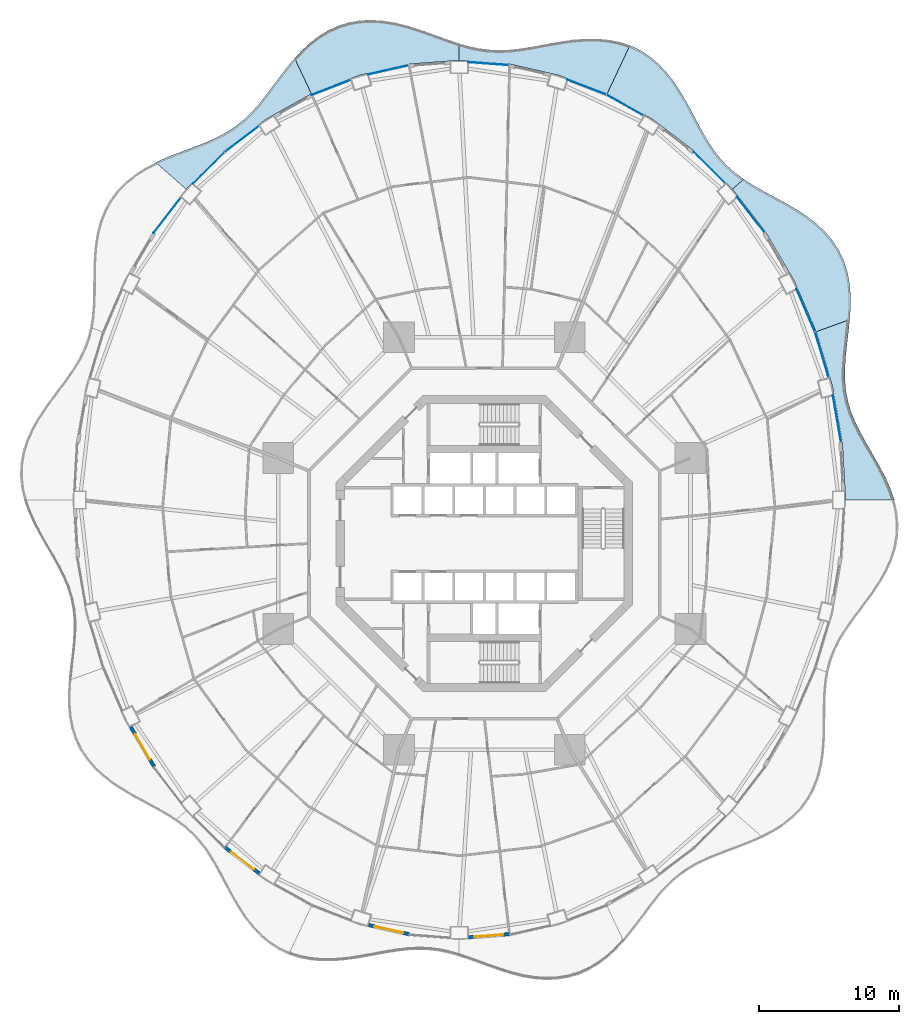
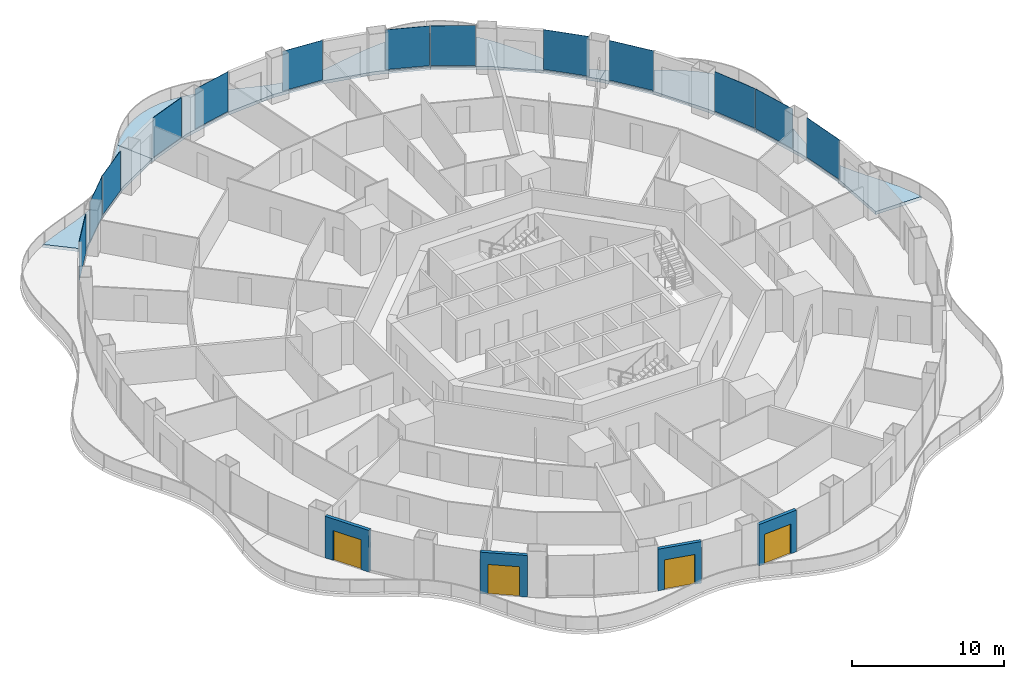
# One storey, part 14 of 23: 13 plates, 6 slabs, 4 doors, 4 walls, 4 openings, 13 elements without a shape of their own.
"""IFC4 building model written with IfcOpenShell, lengths in metres."""

from ifc_helpers import new_model, si_unit, direction, frame, frame_2d, origin, origin_2d, place, context, subcontext, project, spatial, polyline, rectangle, outline, extrude, material, layer, layer_set, type_object, element, fill, aggregate, save


model = new_model("IFC4")

# Units and contexts
model_context = context("Model", 3, precision=1e-05, world=origin(), true_north=direction((0.0, 1.0)))
body_context = subcontext(model_context, "Body", "Model", "MODEL_VIEW")
ifc_project = project(units=[si_unit("LENGTHUNIT", "METRE"), si_unit("AREAUNIT", "SQUARE_METRE"), si_unit("VOLUMEUNIT", "CUBIC_METRE"), si_unit("PLANEANGLEUNIT", "RADIAN"), si_unit("MASSUNIT", "GRAM", prefix="KILO")], contexts=[model_context])

# Site, building, storey
site_placement = place(None, origin())
site = spatial("IfcSite", under=ifc_project, at=site_placement, CompositionType="ELEMENT")
building_placement = place(site_placement, origin())
building = spatial("IfcBuilding", under=site, at=building_placement, Name="Nagisa Residences", CompositionType="ELEMENT")
storey_placement = place(building_placement, frame((0.0, 0.0, 110.300048828125)))
storey = spatial("IfcBuildingStorey", under=building, at=storey_placement, Name="L27", CompositionType="ELEMENT", Elevation=110.300048828125)

# Slabs
ifc_material_1 = material(Name="Concrete C40/50", Category="concrete")
ifc_layer_1 = layer(ifc_material_1, 0.25)
ifc_layer_set_1 = layer_set([ifc_layer_1], Name="BALCONY SLAB 250")
slab_type = type_object("IfcSlabType", Name="BALCONY SLAB 250", PredefinedType="FLOOR", material=ifc_layer_set_1)
slab_1_placement = place(storey_placement, frame((0.0, 0.0, -0.25)))
element("IfcSlab", 1, at=slab_1_placement, inside=storey, type_object=slab_type, Name="slab:L27:bal00", PredefinedType="FLOOR", context=body_context, shape_type="SweptSolid", body=[
    extrude(outline(polyline([(29.39404296875, 3.11767578125), (29.09912109375, 3.95556640625), (28.728759765625, 4.778564453125), (28.306640625, 5.58349609375), (27.8583984375, 6.37060546875), (27.41064453125, 7.141357421875), (26.98828125, 7.899658203125), (26.61328125, 8.6513671875), (26.303466796875, 9.403076171875), (26.06982421875, 10.161865234375), (25.917724609375, 10.93505859375), (25.84521484375, 11.728271484375), (25.84375, 12.5458984375), (25.898681640625, 13.389404296875), (25.989990234375, 14.258056640625), (26.09521484375, 15.14794921875), (26.18896484375, 16.05224609375), (23.786865234375, 15.177978515625), (24.951416015625, 11.2744140625), (25.657958984375, 7.231201171875), (25.89501953125, 3.11767578125), (29.39404296875, 3.11767578125)])), origin(), (0.0, 0.0, 1.0), 0.25),
])
slab_2_placement = place(storey_placement, frame((0.0, 0.0, -0.25)))
element("IfcSlab", 2, at=slab_2_placement, inside=storey, type_object=slab_type, Name="slab:L27:bal01", PredefinedType="FLOOR", context=body_context, shape_type="SweptSolid", body=[
    extrude(outline(polyline([(26.18896484375, 16.05224609375), (26.2451171875, 16.93408203125), (26.24560546875, 17.810791015625), (26.172119140625, 18.671630859375), (26.010009765625, 19.505615234375), (25.750244140625, 20.302001953125), (25.388671875, 21.052001953125), (24.927490234375, 21.7490234375), (24.37353515625, 22.38916015625), (23.7392578125, 22.972412109375), (23.041015625, 23.501708984375), (22.29736328125, 23.983642578125), (21.529052734375, 24.4287109375), (20.75634765625, 24.84912109375), (19.998291015625, 25.25927734375), (19.271240234375, 25.674560546875), (18.58837890625, 26.109619140625), (17.783203125, 25.402099609375), (20.171875, 22.302734375), (22.1845703125, 18.875244140625), (23.786865234375, 15.177978515625), (26.18896484375, 16.05224609375)])), origin(), (0.0, 0.0, 1.0), 0.25),
])
slab_3_placement = place(storey_placement, frame((0.0, 0.0, -0.25)))
element("IfcSlab", 3, at=slab_3_placement, inside=storey, type_object=slab_type, Name="slab:L27:bal02", PredefinedType="FLOOR", context=body_context, shape_type="SweptSolid", body=[
    extrude(outline(polyline([(18.58837890625, 26.109619140625), (17.98583984375, 26.55517578125), (17.433837890625, 27.040283203125), (16.931396484375, 27.572021484375), (16.473388671875, 28.1533203125), (16.0517578125, 28.783935546875), (15.655029296875, 29.458984375), (15.270263671875, 30.170166015625), (14.8837890625, 30.90576171875), (14.4814453125, 31.65087890625), (14.050048828125, 32.38818359375), (13.578857421875, 33.10009765625), (13.05908203125, 33.76806640625), (12.485107421875, 34.37548828125), (11.85498046875, 34.907470703125), (11.16943359375, 35.352294921875), (10.433349609375, 35.702392578125), (8.79833984375, 32.233642578125), (12.047607421875, 30.410400390625), (15.0595703125, 28.1201171875), (17.783203125, 25.402099609375), (18.58837890625, 26.109619140625)])), origin(), (0.0, 0.0, 1.0), 0.25),
])
slab_4_placement = place(storey_placement, frame((0.0, 0.0, -0.25)))
element("IfcSlab", 4, at=slab_4_placement, inside=storey, type_object=slab_type, Name="slab:L27:bal03", PredefinedType="FLOOR", context=body_context, shape_type="SweptSolid", body=[
    extrude(outline(polyline([(10.433349609375, 35.702392578125), (9.68212890625, 35.947265625), (8.898193359375, 36.102783203125), (8.0908203125, 36.17431640625), (7.26953125, 36.171875), (6.443603515625, 36.108154296875), (5.6220703125, 35.9990234375), (4.8115234375, 35.86181640625), (4.017333984375, 35.71484375), (3.24267578125, 35.575927734375), (2.48828125, 35.4619140625), (1.752685546875, 35.38671875), (1.03271484375, 35.361328125), (0.3232421875, 35.39306640625), (-0.381103515625, 35.484375), (-1.0869140625, 35.63330078125), (-1.800048828125, 35.833740234375), (-1.800048828125, 34.6328125), (1.81494140625, 34.363037109375), (5.367919921875, 33.558837890625), (8.79833984375, 32.233642578125), (10.433349609375, 35.702392578125)])), origin(), (0.0, 0.0, 1.0), 0.25),
])
slab_5_placement = place(storey_placement, frame((0.0, 0.0, -0.25)))
element("IfcSlab", 5, at=slab_5_placement, inside=storey, type_object=slab_type, Name="slab:L27:bal04", PredefinedType="FLOOR", context=body_context, shape_type="SweptSolid", body=[
    extrude(outline(polyline([(-1.800048828125, 35.833740234375), (-2.525390625, 36.07470703125), (-3.26708984375, 36.3427734375), (-4.027099609375, 36.620849609375), (-4.80517578125, 36.890869140625), (-5.599609375, 37.133544921875), (-6.40576171875, 37.33056640625), (-7.218017578125, 37.46533203125), (-8.029052734375, 37.523193359375), (-8.83056640625, 37.4931640625), (-9.614013671875, 37.36865234375), (-10.3720703125, 37.146728515625), (-11.09716796875, 36.829345703125), (-11.784423828125, 36.4228515625), (-12.4306640625, 35.93701171875), (-13.03515625, 35.38525390625), (-13.60009765625, 34.783203125), (-12.3984375, 32.233642578125), (-8.968017578125, 33.558837890625), (-5.4150390625, 34.363037109375), (-1.800048828125, 34.6328125), (-1.800048828125, 35.833740234375)])), origin(), (0.0, 0.0, 1.0), 0.25),
])
slab_6_placement = place(storey_placement, frame((0.0, 0.0, -0.25)))
element("IfcSlab", 6, at=slab_6_placement, inside=storey, type_object=slab_type, Name="slab:L27:bal05", PredefinedType="FLOOR", context=body_context, shape_type="SweptSolid", body=[
    extrude(outline(polyline([(-13.60009765625, 34.783203125), (-14.14892578125, 34.1240234375), (-14.667724609375, 33.44873046875), (-15.166015625, 32.77685546875), (-15.655517578125, 32.125244140625), (-16.14794921875, 31.508544921875), (-16.65576171875, 30.9375), (-17.189208984375, 30.419189453125), (-17.757568359375, 29.95556640625), (-18.366943359375, 29.545166015625), (-19.02001953125, 29.181884765625), (-19.716064453125, 28.856201171875), (-20.450439453125, 28.5556640625), (-21.21484375, 28.26611328125), (-21.998046875, 27.97314453125), (-22.78564453125, 27.661376953125), (-23.5625, 27.317138671875), (-21.38330078125, 25.402099609375), (-18.65966796875, 28.1201171875), (-15.6474609375, 30.410400390625), (-12.3984375, 32.233642578125), (-13.60009765625, 34.783203125)])), origin(), (0.0, 0.0, 1.0), 0.25),
])

# Curtain wall, plate
ifc_material_2 = material(Name="Concrete-coloured aluminium curtain wall system", Category="concrete")
ifc_layer_2 = layer(ifc_material_2, 0.159912109375)
ifc_layer_set_2 = layer_set([ifc_layer_2], Name="CW1 CURTAIN WALL")
curtain_wall_type = type_object("IfcCurtainWallType", Name="CW1 CURTAIN WALL", PredefinedType="NOTDEFINED", material=ifc_layer_set_2)
curtain_wall_1_placement = place(storey_placement, origin())
curtain_wall_1 = element("IfcCurtainWall", 7, at=curtain_wall_1_placement, inside=storey, type_object=curtain_wall_type, Name="cw:CW1:L27:01", PredefinedType="NOTDEFINED")
ifc_material_3 = material(Name="Clear laminated glass", Category="glass")
ifc_layer_3 = layer(ifc_material_3, 0.028076171875)
ifc_layer_set_3 = layer_set([ifc_layer_3], Name="CW1 GLASS PANEL")
plate_type = type_object("IfcPlateType", Name="CW1 GLASS PANEL", PredefinedType="CURTAIN_PANEL", material=ifc_layer_set_3)
plate_1_placement = place(storey_placement, frame((25.276611328125, 8.948486328125, 0.14990234375), z_axis=(0.0, 0.0, 1.0), x_axis=(-0.172190868898, 0.985063604377, 0.0)))
plate_1 = element("IfcPlate", 8, at=plate_1_placement, type_object=plate_type, Name="CW1 panel", PredefinedType="CURTAIN_PANEL", context=body_context, shape_type="SweptSolid", body=[
    extrude(rectangle(XDim=3.39453125, YDim=0.028076171875, at=origin_2d()), origin(), (0.0, 0.0, 1.0), 3.199951171875),
])
aggregate(curtain_wall_1, [plate_1])

curtain_wall_2_placement = place(storey_placement, origin())
curtain_wall_2 = element("IfcCurtainWall", 9, at=curtain_wall_2_placement, inside=storey, type_object=curtain_wall_type, Name="cw:CW1:L27:02", PredefinedType="NOTDEFINED")
plate_2_placement = place(storey_placement, frame((24.19091796875, 13.54345703125, 0.14990234375), z_axis=(0.0, 0.0, 1.0), x_axis=(-0.285860274038, 0.958271310082, 0.0)))
plate_2 = element("IfcPlate", 10, at=plate_2_placement, type_object=plate_type, Name="CW1 panel", PredefinedType="CURTAIN_PANEL", context=body_context, shape_type="SweptSolid", body=[
    extrude(rectangle(XDim=3.363525390625, YDim=0.028076171875, at=origin_2d()), origin(), (0.0, 0.0, 1.0), 3.199951171875),
])
aggregate(curtain_wall_2, [plate_2])

curtain_wall_3_placement = place(storey_placement, origin())
curtain_wall_3 = element("IfcCurtainWall", 11, at=curtain_wall_3_placement, inside=storey, type_object=curtain_wall_type, Name="cw:CW1:L27:03", PredefinedType="NOTDEFINED")
plate_3_placement = place(storey_placement, frame((23.029541015625, 16.72412109375, 0.14990234375), z_axis=(0.0, 0.0, 1.0), x_axis=(-0.397635934147, 0.917543276295, 0.0)))
plate_3 = element("IfcPlate", 12, at=plate_3_placement, type_object=plate_type, Name="CW1 panel", PredefinedType="CURTAIN_PANEL", context=body_context, shape_type="SweptSolid", body=[
    extrude(rectangle(XDim=3.319580078125, YDim=0.028076171875, at=origin_2d()), origin(), (0.0, 0.0, 1.0), 3.199951171875),
])
aggregate(curtain_wall_3, [plate_3])

curtain_wall_4_placement = place(storey_placement, origin())
curtain_wall_4 = element("IfcCurtainWall", 13, at=curtain_wall_4_placement, inside=storey, type_object=curtain_wall_type, Name="cw:CW1:L27:05", PredefinedType="NOTDEFINED")
plate_4_placement = place(storey_placement, frame((19.09423828125, 23.570068359375, 0.14990234375), z_axis=(0.0, 0.0, 1.0), x_axis=(-0.610429828235, 0.792070340816, 0.0)))
plate_4 = element("IfcPlate", 14, at=plate_4_placement, type_object=plate_type, Name="CW1 panel", PredefinedType="CURTAIN_PANEL", context=body_context, shape_type="SweptSolid", body=[
    extrude(rectangle(XDim=3.202880859375, YDim=0.028076171875, at=origin_2d()), origin(), (0.0, 0.0, 1.0), 3.199951171875),
])
aggregate(curtain_wall_4, [plate_4])

curtain_wall_5_placement = place(storey_placement, origin())
curtain_wall_5 = element("IfcCurtainWall", 15, at=curtain_wall_5_placement, inside=storey, type_object=curtain_wall_type, Name="cw:CW1:L27:06", PredefinedType="NOTDEFINED")
plate_5_placement = place(storey_placement, frame((16.11376953125, 26.955322265625, 0.14990234375), z_axis=(0.0, 0.0, 1.0), x_axis=(-0.707835924016, 0.706376885714, 0.0)))
plate_5 = element("IfcPlate", 16, at=plate_5_placement, type_object=plate_type, Name="CW1 panel", PredefinedType="CURTAIN_PANEL", context=body_context, shape_type="SweptSolid", body=[
    extrude(rectangle(XDim=3.137939453125, YDim=0.028076171875, at=origin_2d()), origin(), (0.0, 0.0, 1.0), 3.199951171875),
])
aggregate(curtain_wall_5, [plate_5])

curtain_wall_6_placement = place(storey_placement, origin())
curtain_wall_6 = element("IfcCurtainWall", 17, at=curtain_wall_6_placement, inside=storey, type_object=curtain_wall_type, Name="cw:CW1:L27:08", PredefinedType="NOTDEFINED")
plate_6_placement = place(storey_placement, frame((10.07421875, 31.426025390625, 0.14990234375), z_axis=(0.0, 0.0, 1.0), x_axis=(-0.872072377523, 0.489376918501, 0.0)))
plate_6 = element("IfcPlate", 18, at=plate_6_placement, type_object=plate_type, Name="CW1 panel", PredefinedType="CURTAIN_PANEL", context=body_context, shape_type="SweptSolid", body=[
    extrude(rectangle(XDim=3.015625, YDim=0.028076171875, at=origin_2d()), origin(), (0.0, 0.0, 1.0), 3.199951171875),
])
aggregate(curtain_wall_6, [plate_6])

curtain_wall_7_placement = place(storey_placement, origin())
curtain_wall_7 = element("IfcCurtainWall", 19, at=curtain_wall_7_placement, inside=storey, type_object=curtain_wall_type, Name="cw:CW1:L27:09", PredefinedType="NOTDEFINED")
plate_7_placement = place(storey_placement, frame((7.32958984375, 32.71533203125, 0.14990234375), z_axis=(0.0, 0.0, 1.0), x_axis=(-0.932825759707, 0.360327770268, 0.0)))
plate_7 = element("IfcPlate", 20, at=plate_7_placement, type_object=plate_type, Name="CW1 panel", PredefinedType="CURTAIN_PANEL", context=body_context, shape_type="SweptSolid", body=[
    extrude(rectangle(XDim=2.967529296875, YDim=0.028076171875, at=origin_2d()), origin(), (0.0, 0.0, 1.0), 3.199951171875),
])
aggregate(curtain_wall_7, [plate_7])

curtain_wall_8_placement = place(storey_placement, origin())
curtain_wall_8 = element("IfcCurtainWall", 21, at=curtain_wall_8_placement, inside=storey, type_object=curtain_wall_type, Name="cw:CW1:L27:11", PredefinedType="NOTDEFINED")
plate_8_placement = place(storey_placement, frame((0.295654296875, 34.396240234375, 0.14990234375), z_axis=(0.0, 0.0, 1.0), x_axis=(-0.997230168512, 0.074377355493, 0.0)))
plate_8 = element("IfcPlate", 22, at=plate_8_placement, type_object=plate_type, Name="CW1 panel", PredefinedType="CURTAIN_PANEL", context=body_context, shape_type="SweptSolid", body=[
    extrude(rectangle(XDim=2.9150390625, YDim=0.028076171875, at=origin_2d()), origin(), (0.0, 0.0, 1.0), 3.199951171875),
])
aggregate(curtain_wall_8, [plate_8])

curtain_wall_9_placement = place(storey_placement, origin())
curtain_wall_9 = element("IfcCurtainWall", 23, at=curtain_wall_9_placement, inside=storey, type_object=curtain_wall_type, Name="cw:CW1:L27:13", PredefinedType="NOTDEFINED")
plate_9_placement = place(storey_placement, frame((-6.885986328125, 33.947998046875, 0.14990234375), z_axis=(0.0, 0.0, 1.0), x_axis=(-0.975327274089, -0.2207639201, 0.0)))
plate_9 = element("IfcPlate", 24, at=plate_9_placement, type_object=plate_type, Name="CW1 panel", PredefinedType="CURTAIN_PANEL", context=body_context, shape_type="SweptSolid", body=[
    extrude(rectangle(XDim=2.932861328125, YDim=0.028076171875, at=origin_2d()), origin(), (0.0, 0.0, 1.0), 3.199951171875),
])
aggregate(curtain_wall_9, [plate_9])

curtain_wall_10_placement = place(storey_placement, origin())
curtain_wall_10 = element("IfcCurtainWall", 25, at=curtain_wall_10_placement, inside=storey, type_object=curtain_wall_type, Name="cw:CW1:L27:14", PredefinedType="NOTDEFINED")
plate_10_placement = place(storey_placement, frame((-10.985595703125, 32.69384765625, 0.14990234375), z_axis=(0.0, 0.0, 1.0), x_axis=(-0.932825759707, -0.360327770268, 0.0)))
plate_10 = element("IfcPlate", 26, at=plate_10_placement, type_object=plate_type, Name="CW1 panel", PredefinedType="CURTAIN_PANEL", context=body_context, shape_type="SweptSolid", body=[
    extrude(rectangle(XDim=2.967529296875, YDim=0.028076171875, at=origin_2d()), origin(), (0.0, 0.0, 1.0), 3.199951171875),
])
aggregate(curtain_wall_10, [plate_10])

curtain_wall_11_placement = place(storey_placement, origin())
curtain_wall_11 = element("IfcCurtainWall", 27, at=curtain_wall_11_placement, inside=storey, type_object=curtain_wall_type, Name="cw:CW1:L27:16", PredefinedType="NOTDEFINED")
plate_11_placement = place(storey_placement, frame((-17.3876953125, 28.98681640625, 0.14990234375), z_axis=(0.0, 0.0, 1.0), x_axis=(-0.79603132756, -0.605255421737, 0.0)))
plate_11 = element("IfcPlate", 28, at=plate_11_placement, type_object=plate_type, Name="CW1 panel", PredefinedType="CURTAIN_PANEL", context=body_context, shape_type="SweptSolid", body=[
    extrude(rectangle(XDim=3.073974609375, YDim=0.028076171875, at=origin_2d()), origin(), (0.0, 0.0, 1.0), 3.199951171875),
])
aggregate(curtain_wall_11, [plate_11])

curtain_wall_12_placement = place(storey_placement, origin())
curtain_wall_12 = element("IfcCurtainWall", 29, at=curtain_wall_12_placement, inside=storey, type_object=curtain_wall_type, Name="cw:CW1:L27:17", PredefinedType="NOTDEFINED")
plate_12_placement = place(storey_placement, frame((-19.756103515625, 26.912841796875, 0.14990234375), z_axis=(0.0, 0.0, 1.0), x_axis=(-0.707835924016, -0.706376885714, 0.0)))
plate_12 = element("IfcPlate", 30, at=plate_12_placement, type_object=plate_type, Name="CW1 panel", PredefinedType="CURTAIN_PANEL", context=body_context, shape_type="SweptSolid", body=[
    extrude(rectangle(XDim=3.137939453125, YDim=0.028076171875, at=origin_2d()), origin(), (0.0, 0.0, 1.0), 3.199951171875),
])
aggregate(curtain_wall_12, [plate_12])

curtain_wall_13_placement = place(storey_placement, origin())
curtain_wall_13 = element("IfcCurtainWall", 31, at=curtain_wall_13_placement, inside=storey, type_object=curtain_wall_type, Name="cw:CW1:L27:18", PredefinedType="NOTDEFINED")
plate_13_placement = place(storey_placement, frame((-22.73095703125, 23.5224609375, 0.14990234375), z_axis=(0.0, 0.0, 1.0), x_axis=(-0.610429828235, -0.792070340816, 0.0)))
plate_13 = element("IfcPlate", 32, at=plate_13_placement, type_object=plate_type, Name="CW1 panel", PredefinedType="CURTAIN_PANEL", context=body_context, shape_type="SweptSolid", body=[
    extrude(rectangle(XDim=3.202880859375, YDim=0.028076171875, at=origin_2d()), origin(), (0.0, 0.0, 1.0), 3.199951171875),
])
aggregate(curtain_wall_13, [plate_13])

# Wall, opening, door
ifc_material_4 = material(Name="Precast concrete C40/50", Category="concrete")
ifc_layer_4 = layer(ifc_material_4, 0.25)
ifc_layer_set_4 = layer_set([ifc_layer_4], Name="BALCONY DOOR WALL 250")
wall_type = type_object("IfcWallType", Name="BALCONY DOOR WALL 250", PredefinedType="SOLIDWALL", material=ifc_layer_set_4)
wall_1_placement = place(storey_placement, frame((-23.6640625, -16.004150390625, 0.0), z_axis=(0.0, 0.0, 1.0), x_axis=(-0.506352525095, 0.86232657406, 0.0)))
wall_1 = element("IfcWall", 33, at=wall_1_placement, inside=storey, type_object=wall_type, Name="wall:L27:bay28", PredefinedType="SOLIDWALL", context=body_context, shape_type="SweptSolid", body=[
    extrude(rectangle(XDim=3.324951171875, YDim=0.25, at=frame_2d((1.66259765625, 0.0))), origin(), (0.0, 0.0, 1.0), 3.349853515625),
])
opening_1_placement = place(wall_1_placement, frame((0.6123046875, 0.0, 0.0)))
opening_1 = element("IfcOpeningElement", 34, at=opening_1_placement, cuts=wall_1, Name="Opening BD-L27-10", PredefinedType="OPENING", context=body_context, shape_type="SweptSolid", body=[
    extrude(rectangle(XDim=2.10009765625, YDim=2.39990234375, at=frame_2d((1.050048828125, 1.199951171875))), frame((0.0, 0.135009765625, 0.0), z_axis=(0.0, -1.0, 0.0), x_axis=(1.0, 0.0, 0.0)), (0.0, 0.0, 1.0), 0.27001953125),
])
ifc_material_5 = material(Name="Aluminium and clear glass", Category="aluminium")
door_type = type_object("IfcDoorType", Name="BALCONY SLIDING DOOR 2100x2400", OperationType="SLIDING_TO_LEFT", PredefinedType="DOOR", material=ifc_material_5)
door_1_placement = place(opening_1_placement, origin())
door_1 = element("IfcDoor", 35, at=door_1_placement, inside=storey, type_object=door_type, Name="door:L27:bay28", OperationType="SLIDING_TO_LEFT", OverallHeight=2.39990234375, OverallWidth=2.10009765625, PredefinedType="DOOR", context=body_context, shape_type="SweptSolid", body=[
    extrude(rectangle(XDim=2.10009765625, YDim=2.39990234375, at=frame_2d((1.050048828125, 1.199951171875))), frame((0.0, 0.02490234375, 0.0), z_axis=(0.0, -1.0, 0.0), x_axis=(1.0, 0.0, 0.0)), (0.0, 0.0, 1.0), 0.050048828125),
])
fill(opening_1, door_1)

wall_2_placement = place(storey_placement, frame((-16.08935546875, -23.68212890625, 0.0), z_axis=(0.0, 0.0, 1.0), x_axis=(-0.796037575978, 0.605247203736, 0.0)))
wall_2 = element("IfcWall", 36, at=wall_2_placement, inside=storey, type_object=wall_type, Name="wall:L27:bay31", PredefinedType="SOLIDWALL", context=body_context, shape_type="SweptSolid", body=[
    extrude(rectangle(XDim=3.1337890625, YDim=0.25, at=frame_2d((1.56689453125, 0.0))), origin(), (0.0, 0.0, 1.0), 3.349853515625),
])
opening_2_placement = place(wall_2_placement, frame((0.51708984375, 0.0, 0.0)))
opening_2 = element("IfcOpeningElement", 37, at=opening_2_placement, cuts=wall_2, Name="Opening BD-L27-11", PredefinedType="OPENING", context=body_context, shape_type="SweptSolid", body=[
    extrude(rectangle(XDim=2.10009765625, YDim=2.39990234375, at=frame_2d((1.050048828125, 1.199951171875))), frame((0.0, 0.135009765625, 0.0), z_axis=(0.0, -1.0, 0.0), x_axis=(1.0, 0.0, 0.0)), (0.0, 0.0, 1.0), 0.27001953125),
])
door_2_placement = place(opening_2_placement, origin())
door_2 = element("IfcDoor", 38, at=door_2_placement, inside=storey, type_object=door_type, Name="door:L27:bay31", OperationType="SLIDING_TO_LEFT", OverallHeight=2.39990234375, OverallWidth=2.10009765625, PredefinedType="DOOR", context=body_context, shape_type="SweptSolid", body=[
    extrude(rectangle(XDim=2.10009765625, YDim=2.39990234375, at=frame_2d((1.050048828125, 1.199951171875))), frame((0.0, 0.02490234375, 0.0), z_axis=(0.0, -1.0, 0.0), x_axis=(1.0, 0.0, 0.0)), (0.0, 0.0, 1.0), 0.050048828125),
])
fill(opening_2, door_2)

wall_3_placement = place(storey_placement, frame((-5.38720703125, -28.005859375, 0.0), z_axis=(0.0, 0.0, 1.0), x_axis=(-0.975317607872, 0.220806620767, 0.0)))
wall_3 = element("IfcWall", 39, at=wall_3_placement, inside=storey, type_object=wall_type, Name="wall:L27:bay34", PredefinedType="SOLIDWALL", context=body_context, shape_type="SweptSolid", body=[
    extrude(rectangle(XDim=2.9931640625, YDim=0.25, at=frame_2d((1.49658203125, 0.0))), origin(), (0.0, 0.0, 1.0), 3.349853515625),
])
opening_3_placement = place(wall_3_placement, frame((0.446533203125, 0.0, 0.0)))
opening_3 = element("IfcOpeningElement", 40, at=opening_3_placement, cuts=wall_3, Name="Opening BD-L27-12", PredefinedType="OPENING", context=body_context, shape_type="SweptSolid", body=[
    extrude(rectangle(XDim=2.10009765625, YDim=2.39990234375, at=frame_2d((1.050048828125, 1.199951171875))), frame((0.0, 0.135009765625, 0.0), z_axis=(0.0, -1.0, 0.0), x_axis=(1.0, 0.0, 0.0)), (0.0, 0.0, 1.0), 0.27001953125),
])
door_3_placement = place(opening_3_placement, origin())
door_3 = element("IfcDoor", 41, at=door_3_placement, inside=storey, type_object=door_type, Name="door:L27:bay34", OperationType="SLIDING_TO_LEFT", OverallHeight=2.39990234375, OverallWidth=2.10009765625, PredefinedType="DOOR", context=body_context, shape_type="SweptSolid", body=[
    extrude(rectangle(XDim=2.10009765625, YDim=2.39990234375, at=frame_2d((1.050048828125, 1.199951171875))), frame((0.0, 0.02490234375, 0.0), z_axis=(0.0, -1.0, 0.0), x_axis=(1.0, 0.0, 0.0)), (0.0, 0.0, 1.0), 0.050048828125),
])
fill(opening_3, door_3)

wall_4_placement = place(storey_placement, frame((1.8056640625, -28.0029296875, 0.0), z_axis=(0.0, 0.0, 1.0), x_axis=(-0.997226174467, -0.074430887117, 0.0)))
wall_4 = element("IfcWall", 42, at=wall_4_placement, inside=storey, type_object=wall_type, Name="wall:L27:bay36", PredefinedType="SOLIDWALL", context=body_context, shape_type="SweptSolid", body=[
    extrude(rectangle(XDim=2.97509765625, YDim=0.25, at=frame_2d((1.487548828125, 0.0))), origin(), (0.0, 0.0, 1.0), 3.349853515625),
])
opening_4_placement = place(wall_4_placement, frame((0.4375, 0.0, 0.0)))
opening_4 = element("IfcOpeningElement", 43, at=opening_4_placement, cuts=wall_4, Name="Opening BD-L27-13", PredefinedType="OPENING", context=body_context, shape_type="SweptSolid", body=[
    extrude(rectangle(XDim=2.10009765625, YDim=2.39990234375, at=frame_2d((1.050048828125, 1.199951171875))), frame((0.0, 0.135009765625, 0.0), z_axis=(0.0, -1.0, 0.0), x_axis=(1.0, 0.0, 0.0)), (0.0, 0.0, 1.0), 0.27001953125),
])
door_4_placement = place(opening_4_placement, origin())
door_4 = element("IfcDoor", 44, at=door_4_placement, inside=storey, type_object=door_type, Name="door:L27:bay36", OperationType="SLIDING_TO_LEFT", OverallHeight=2.39990234375, OverallWidth=2.10009765625, PredefinedType="DOOR", context=body_context, shape_type="SweptSolid", body=[
    extrude(rectangle(XDim=2.10009765625, YDim=2.39990234375, at=frame_2d((1.050048828125, 1.199951171875))), frame((0.0, 0.02490234375, 0.0), z_axis=(0.0, -1.0, 0.0), x_axis=(1.0, 0.0, 0.0)), (0.0, 0.0, 1.0), 0.050048828125),
])
fill(opening_4, door_4)

save(model, "model.ifc")
